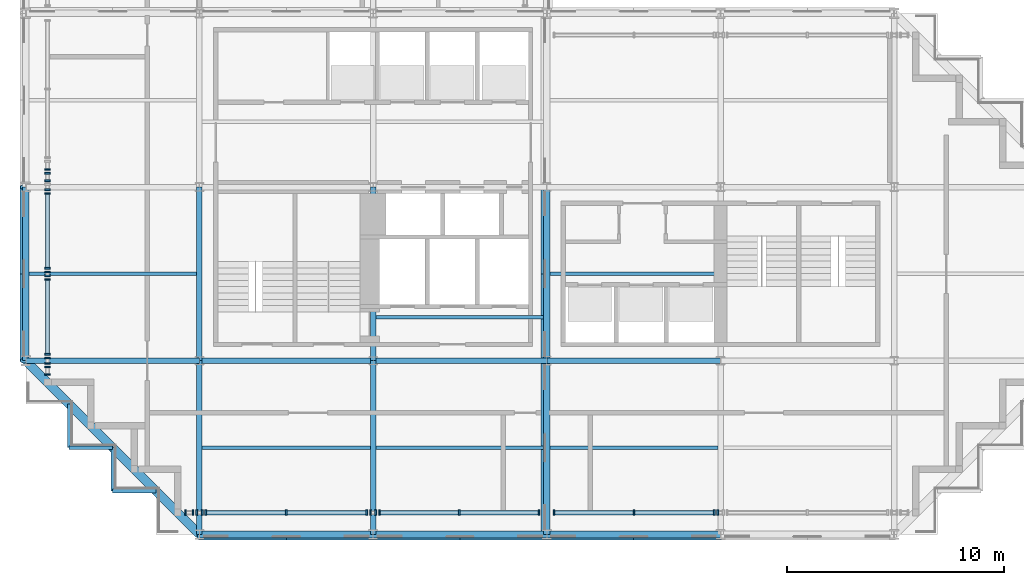
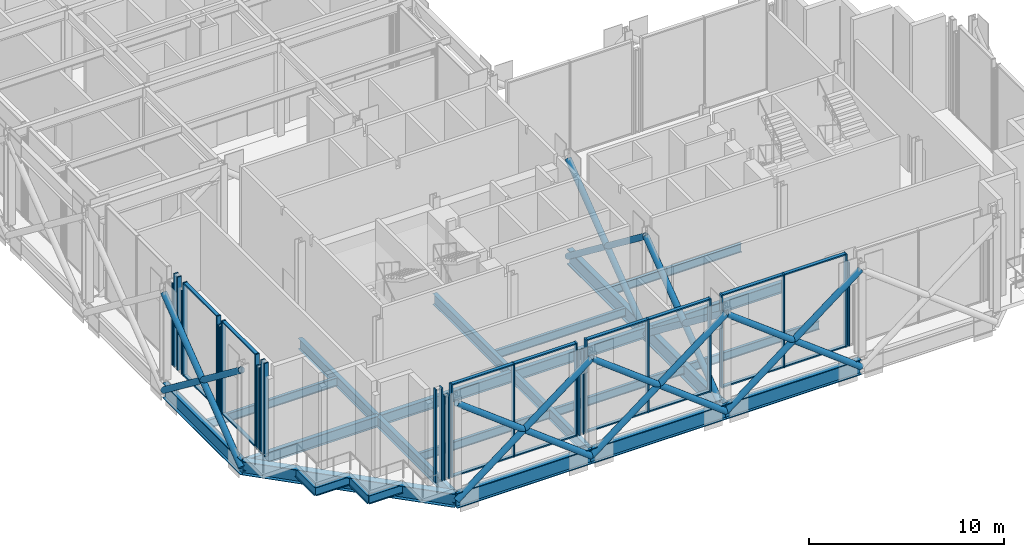
# One storey, part 2 of 23: 58 members, 25 beams, 15 elements without a shape of their own.
"""IFC4 building model written with IfcOpenShell, lengths in metres."""

from ifc_helpers import new_model, si_unit, direction, frame, origin, origin_2d, place, context, subcontext, project, spatial, rectangle, hollow_circle, i_section, extrude, material, material_profile, profile_set, type_object, element, aggregate, save


model = new_model("IFC4")

# Units and contexts
model_context = context("Model", 3, precision=1e-05, world=origin(), true_north=direction((0.0, 1.0)))
body_context = subcontext(model_context, "Body", "Model", "MODEL_VIEW")
ifc_project = project(units=[si_unit("LENGTHUNIT", "METRE"), si_unit("AREAUNIT", "SQUARE_METRE"), si_unit("VOLUMEUNIT", "CUBIC_METRE"), si_unit("PLANEANGLEUNIT", "RADIAN"), si_unit("MASSUNIT", "GRAM", prefix="KILO")], contexts=[model_context])

# Site, building, storey
site_placement = place(None, origin())
site = spatial("IfcSite", under=ifc_project, at=site_placement, CompositionType="ELEMENT")
building_placement = place(site_placement, origin())
building = spatial("IfcBuilding", under=site, at=building_placement, Name="Immortelle Media Tower", CompositionType="ELEMENT")
storey_placement = place(building_placement, frame((0.0, 0.0, 183.0)))
storey = spatial("IfcBuildingStorey", under=building, at=storey_placement, Name="L38", CompositionType="ELEMENT", Elevation=183.0)

# Members
ifc_material_1 = material(Name="Steel ASTM A500 Gr C", Category="steel")
ifc_material_profile_1 = material_profile(ifc_material_1, hollow_circle(Radius=0.177978515625, WallThickness=0.011962890625, at=origin_2d()), Name="HSS14.000x0.500 truss diagonal")
ifc_profile_set_1 = profile_set([ifc_material_profile_1], Name="Steel ASTM A500 Gr C")
member_type_1 = type_object("IfcMemberType", Name="HSS14.000x0.500 truss diagonal", PredefinedType="BRACE", material=ifc_profile_set_1)
for number, where, z_axis, x_axis, name in (
    (1, (-0.087890625, 8.0, -0.72509765625), (0.0, 0.794333061913, 0.607482499132), (-1.0, 0.0, 0.0), "Belt truss 1/B-C A"),
    (2, (-0.087890625, 8.0, 5.39306640625), (0.0, 0.794333061913, -0.607482499132), (-1.0, 0.0, 0.0), "Belt truss 1/B-C B"),
    (3, (8.0, -0.087890625, -0.72509765625), (0.794333061913, 0.0, 0.607482499132), (0.0, 1.0, 0.0), "Belt truss A/2-3 A"),
    (4, (8.0, -0.087890625, 5.39306640625), (0.794333061913, 0.0, -0.607482499132), (0.0, 1.0, 0.0), "Belt truss A/2-3 B"),
    (5, (16.0, -0.087890625, -0.72509765625), (0.794333061913, 0.0, 0.607482499132), (0.0, 1.0, 0.0), "Belt truss A/3-4 A"),
    (6, (16.0, -0.087890625, 5.39306640625), (0.794333061913, 0.0, -0.607482499132), (0.0, 1.0, 0.0), "Belt truss A/3-4 B"),
    (7, (24.0, -0.087890625, -0.72509765625), (0.794333061913, 0.0, 0.607482499132), (0.0, 1.0, 0.0), "Belt truss A/4-5 A"),
    (8, (24.0, -0.087890625, 5.39306640625), (0.794333061913, 0.0, -0.607482499132), (0.0, 1.0, 0.0), "Belt truss A/4-5 B"),
    (9, (23.912109375, 0.0, -0.72509765625), (0.0, 0.794333061913, 0.607482499132), (-1.0, 0.0, 0.0), "Belt truss 4/A-B A"),
    (10, (23.912109375, 0.0, 5.39306640625), (0.0, 0.794333061913, -0.607482499132), (-1.0, 0.0, 0.0), "Belt truss 4/A-B B"),
    (11, (23.912109375, 8.0, -0.72509765625), (0.0, 0.794333061913, 0.607482499132), (-1.0, 0.0, 0.0), "Belt truss 4/B-C A"),
    (12, (23.912109375, 8.0, 5.39306640625), (0.0, 0.794333061913, -0.607482499132), (-1.0, 0.0, 0.0), "Belt truss 4/B-C B"),
):
    element("IfcMember", number, at=place(storey_placement, frame(where, z_axis=z_axis, x_axis=x_axis)), inside=storey, type_object=member_type_1, Name=name, PredefinedType="BRACE", context=body_context, shape_type="SweptSolid", body=[
        extrude(hollow_circle(Radius=0.177978515625, WallThickness=0.011962890625, at=origin_2d()), origin(), (0.0, 0.0, 1.0), 10.0712890625),
    ])

# Curtain wall, members
ifc_material_2 = material(Name="Aluminium curtain wall system", Category="aluminium")
curtain_wall_type = type_object("IfcCurtainWallType", Name="Plant louvre wall curtain wall", PredefinedType="NOTDEFINED", material=ifc_material_2)
curtain_wall_1_placement = place(storey_placement, origin())
curtain_wall_1 = element("IfcCurtainWall", 13, at=curtain_wall_1_placement, inside=storey, type_object=curtain_wall_type, Name="Plant louvre wall L38 S 7-2", PredefinedType="NOTDEFINED")
ifc_material_3 = material(Name="Aluminium 6063-T6", Category="aluminium")
ifc_material_profile_2 = material_profile(ifc_material_3, rectangle(XDim=0.25, YDim=0.080078125, at=origin_2d()), Name="AL 80x250")
ifc_profile_set_2 = profile_set([ifc_material_profile_2], Name="Aluminium 6063-T6")
member_type_2 = type_object("IfcMemberType", Name="Plant louvre wall mullion 80 x 250", PredefinedType="MULLION", material=ifc_profile_set_2)
member_1_placement = place(storey_placement, frame((7.36181640625, 1.0, 0.0), z_axis=(0.0, 0.0, 1.0), x_axis=(0.0, 1.0, 0.0)))
member_1 = element("IfcMember", 14, at=member_1_placement, type_object=member_type_2, Name="CW6 mullion 1", PredefinedType="MULLION", context=body_context, shape_type="SweptSolid", body=[
    extrude(rectangle(XDim=0.25, YDim=0.080078125, at=origin_2d()), origin(), (0.0, 0.0, 1.0), 5.849609375),
])
member_2_placement = place(storey_placement, frame((7.7060546875, 1.0, 0.0), z_axis=(0.0, 0.0, 1.0), x_axis=(0.0, 1.0, 0.0)))
member_2 = element("IfcMember", 15, at=member_2_placement, type_object=member_type_2, Name="CW6 mullion 2", PredefinedType="MULLION", context=body_context, shape_type="SweptSolid", body=[
    extrude(rectangle(XDim=0.25, YDim=0.080078125, at=origin_2d()), origin(), (0.0, 0.0, 1.0), 5.849609375),
])
aggregate(curtain_wall_1, [member_1, member_2])

curtain_wall_2_placement = place(storey_placement, origin())
curtain_wall_2 = element("IfcCurtainWall", 16, at=curtain_wall_2_placement, inside=storey, type_object=curtain_wall_type, Name="Plant louvre wall L38 S 7-3", PredefinedType="NOTDEFINED")
member_3_placement = place(storey_placement, frame((7.8759765625, 1.0, 0.0), z_axis=(0.0, 0.0, 1.0), x_axis=(0.0, 1.0, 0.0)))
member_3 = element("IfcMember", 17, at=member_3_placement, type_object=member_type_2, Name="CW6 mullion 1", PredefinedType="MULLION", context=body_context, shape_type="SweptSolid", body=[
    extrude(rectangle(XDim=0.25, YDim=0.080078125, at=origin_2d()), origin(), (0.0, 0.0, 1.0), 5.24755859375),
])
member_4_placement = place(storey_placement, frame((8.1240234375, 1.0, 0.0), z_axis=(0.0, 0.0, 1.0), x_axis=(0.0, 1.0, 0.0)))
member_4 = element("IfcMember", 18, at=member_4_placement, type_object=member_type_2, Name="CW6 mullion 2", PredefinedType="MULLION", context=body_context, shape_type="SweptSolid", body=[
    extrude(rectangle(XDim=0.25, YDim=0.080078125, at=origin_2d()), origin(), (0.0, 0.0, 1.0), 5.24755859375),
])
aggregate(curtain_wall_2, [member_3, member_4])

curtain_wall_3_placement = place(storey_placement, origin())
curtain_wall_3 = element("IfcCurtainWall", 19, at=curtain_wall_3_placement, inside=storey, type_object=curtain_wall_type, Name="Plant louvre wall L38 S 7-4", PredefinedType="NOTDEFINED")
member_5_placement = place(storey_placement, frame((8.2939453125, 1.0, 0.0), z_axis=(0.0, 0.0, 1.0), x_axis=(0.0, 1.0, 0.0)))
member_5 = element("IfcMember", 20, at=member_5_placement, type_object=member_type_2, Name="CW6 mullion 1", PredefinedType="MULLION", context=body_context, shape_type="SweptSolid", body=[
    extrude(rectangle(XDim=0.25, YDim=0.080078125, at=origin_2d()), origin(), (0.0, 0.0, 1.0), 5.849609375),
])
member_6_placement = place(storey_placement, frame((12.0, 1.0, 0.0), z_axis=(0.0, 0.0, 1.0), x_axis=(0.0, 1.0, 0.0)))
member_6 = element("IfcMember", 21, at=member_6_placement, type_object=member_type_2, Name="CW6 mullion 2", PredefinedType="MULLION", context=body_context, shape_type="SweptSolid", body=[
    extrude(rectangle(XDim=0.25, YDim=0.080078125, at=origin_2d()), origin(), (0.0, 0.0, 1.0), 5.849609375),
])
member_7_placement = place(storey_placement, frame((15.7060546875, 1.0, 0.0), z_axis=(0.0, 0.0, 1.0), x_axis=(0.0, 1.0, 0.0)))
member_7 = element("IfcMember", 22, at=member_7_placement, type_object=member_type_2, Name="CW6 mullion 3", PredefinedType="MULLION", context=body_context, shape_type="SweptSolid", body=[
    extrude(rectangle(XDim=0.25, YDim=0.080078125, at=origin_2d()), origin(), (0.0, 0.0, 1.0), 5.849609375),
])

curtain_wall_4_placement = place(storey_placement, origin())
curtain_wall_4 = element("IfcCurtainWall", 23, at=curtain_wall_4_placement, inside=storey, type_object=curtain_wall_type, Name="Plant louvre wall L38 S 7-5", PredefinedType="NOTDEFINED")
member_8_placement = place(storey_placement, frame((15.8759765625, 1.0, 0.0), z_axis=(0.0, 0.0, 1.0), x_axis=(0.0, 1.0, 0.0)))
member_8 = element("IfcMember", 24, at=member_8_placement, type_object=member_type_2, Name="CW6 mullion 1", PredefinedType="MULLION", context=body_context, shape_type="SweptSolid", body=[
    extrude(rectangle(XDim=0.25, YDim=0.080078125, at=origin_2d()), origin(), (0.0, 0.0, 1.0), 5.24755859375),
])
member_9_placement = place(storey_placement, frame((16.1240234375, 1.0, 0.0), z_axis=(0.0, 0.0, 1.0), x_axis=(0.0, 1.0, 0.0)))
member_9 = element("IfcMember", 25, at=member_9_placement, type_object=member_type_2, Name="CW6 mullion 2", PredefinedType="MULLION", context=body_context, shape_type="SweptSolid", body=[
    extrude(rectangle(XDim=0.25, YDim=0.080078125, at=origin_2d()), origin(), (0.0, 0.0, 1.0), 5.24755859375),
])
aggregate(curtain_wall_4, [member_8, member_9])

curtain_wall_5_placement = place(storey_placement, origin())
curtain_wall_5 = element("IfcCurtainWall", 26, at=curtain_wall_5_placement, inside=storey, type_object=curtain_wall_type, Name="Plant louvre wall L38 S 7-6", PredefinedType="NOTDEFINED")
member_10_placement = place(storey_placement, frame((16.2939453125, 1.0, 0.0), z_axis=(0.0, 0.0, 1.0), x_axis=(0.0, 1.0, 0.0)))
member_10 = element("IfcMember", 27, at=member_10_placement, type_object=member_type_2, Name="CW6 mullion 1", PredefinedType="MULLION", context=body_context, shape_type="SweptSolid", body=[
    extrude(rectangle(XDim=0.25, YDim=0.080078125, at=origin_2d()), origin(), (0.0, 0.0, 1.0), 5.849609375),
])
member_11_placement = place(storey_placement, frame((19.968994140625, 1.0, 0.0), z_axis=(0.0, 0.0, 1.0), x_axis=(0.0, 1.0, 0.0)))
member_11 = element("IfcMember", 28, at=member_11_placement, type_object=member_type_2, Name="CW6 mullion 2", PredefinedType="MULLION", context=body_context, shape_type="SweptSolid", body=[
    extrude(rectangle(XDim=0.25, YDim=0.080078125, at=origin_2d()), origin(), (0.0, 0.0, 1.0), 5.849609375),
])
member_12_placement = place(storey_placement, frame((23.64404296875, 1.0, 0.0), z_axis=(0.0, 0.0, 1.0), x_axis=(0.0, 1.0, 0.0)))
member_12 = element("IfcMember", 29, at=member_12_placement, type_object=member_type_2, Name="CW6 mullion 3", PredefinedType="MULLION", context=body_context, shape_type="SweptSolid", body=[
    extrude(rectangle(XDim=0.25, YDim=0.080078125, at=origin_2d()), origin(), (0.0, 0.0, 1.0), 5.849609375),
])

curtain_wall_6_placement = place(storey_placement, origin())
curtain_wall_6 = element("IfcCurtainWall", 30, at=curtain_wall_6_placement, inside=storey, type_object=curtain_wall_type, Name="Plant louvre wall L38 S 7-7", PredefinedType="NOTDEFINED")
member_13_placement = place(storey_placement, frame((24.33251953125, 1.0, 0.0), z_axis=(0.0, 0.0, 1.0), x_axis=(0.0, 1.0, 0.0)))
member_13 = element("IfcMember", 31, at=member_13_placement, type_object=member_type_2, Name="CW6 mullion 1", PredefinedType="MULLION", context=body_context, shape_type="SweptSolid", body=[
    extrude(rectangle(XDim=0.25, YDim=0.080078125, at=origin_2d()), origin(), (0.0, 0.0, 1.0), 5.849609375),
])
member_14_placement = place(storey_placement, frame((28.019287109375, 1.0, 0.0), z_axis=(0.0, 0.0, 1.0), x_axis=(0.0, 1.0, 0.0)))
member_14 = element("IfcMember", 32, at=member_14_placement, type_object=member_type_2, Name="CW6 mullion 2", PredefinedType="MULLION", context=body_context, shape_type="SweptSolid", body=[
    extrude(rectangle(XDim=0.25, YDim=0.080078125, at=origin_2d()), origin(), (0.0, 0.0, 1.0), 5.849609375),
])
member_15_placement = place(storey_placement, frame((31.7060546875, 1.0, 0.0), z_axis=(0.0, 0.0, 1.0), x_axis=(0.0, 1.0, 0.0)))
member_15 = element("IfcMember", 33, at=member_15_placement, type_object=member_type_2, Name="CW6 mullion 3", PredefinedType="MULLION", context=body_context, shape_type="SweptSolid", body=[
    extrude(rectangle(XDim=0.25, YDim=0.080078125, at=origin_2d()), origin(), (0.0, 0.0, 1.0), 5.849609375),
])

# Curtain wall, member
curtain_wall_7_placement = place(storey_placement, origin())
curtain_wall_7 = element("IfcCurtainWall", 34, at=curtain_wall_7_placement, inside=storey, type_object=curtain_wall_type, Name="Plant louvre wall L38 S 7-8", PredefinedType="NOTDEFINED")
member_16_placement = place(storey_placement, frame((31.8759765625, 1.0, 0.0), z_axis=(0.0, 0.0, 1.0), x_axis=(0.0, 1.0, 0.0)))
member_16 = element("IfcMember", 35, at=member_16_placement, type_object=member_type_2, Name="CW6 mullion 1", PredefinedType="MULLION", context=body_context, shape_type="SweptSolid", body=[
    extrude(rectangle(XDim=0.25, YDim=0.080078125, at=origin_2d()), origin(), (0.0, 0.0, 1.0), 5.24755859375),
])
aggregate(curtain_wall_7, [member_16])

curtain_wall_8_placement = place(storey_placement, origin())
curtain_wall_8 = element("IfcCurtainWall", 36, at=curtain_wall_8_placement, inside=storey, type_object=curtain_wall_type, Name="Plant louvre wall L38 W 36-11", PredefinedType="NOTDEFINED")
member_17_placement = place(storey_placement, frame((1.0, 16.808349609375, 0.0), z_axis=(0.0, 0.0, 1.0), x_axis=(1.0, 0.0, 0.0)))
member_17 = element("IfcMember", 37, at=member_17_placement, type_object=member_type_2, Name="CW6 mullion 2", PredefinedType="MULLION", context=body_context, shape_type="SweptSolid", body=[
    extrude(rectangle(XDim=0.25, YDim=0.080078125, at=origin_2d()), origin(), (0.0, 0.0, 1.0), 5.156494140625),
])
aggregate(curtain_wall_8, [member_17])

# Curtain wall, members
curtain_wall_9_placement = place(storey_placement, origin())
curtain_wall_9 = element("IfcCurtainWall", 38, at=curtain_wall_9_placement, inside=storey, type_object=curtain_wall_type, Name="Plant louvre wall L38 W 36-12", PredefinedType="NOTDEFINED")
member_18_placement = place(storey_placement, frame((1.0, 16.63818359375, 0.0), z_axis=(0.0, 0.0, 1.0), x_axis=(1.0, 0.0, 0.0)))
member_18 = element("IfcMember", 39, at=member_18_placement, type_object=member_type_2, Name="CW6 mullion 1", PredefinedType="MULLION", context=body_context, shape_type="SweptSolid", body=[
    extrude(rectangle(XDim=0.25, YDim=0.080078125, at=origin_2d()), origin(), (0.0, 0.0, 1.0), 5.849609375),
])
member_19_placement = place(storey_placement, frame((1.0, 16.2939453125, 0.0), z_axis=(0.0, 0.0, 1.0), x_axis=(1.0, 0.0, 0.0)))
member_19 = element("IfcMember", 40, at=member_19_placement, type_object=member_type_2, Name="CW6 mullion 2", PredefinedType="MULLION", context=body_context, shape_type="SweptSolid", body=[
    extrude(rectangle(XDim=0.25, YDim=0.080078125, at=origin_2d()), origin(), (0.0, 0.0, 1.0), 5.849609375),
])
aggregate(curtain_wall_9, [member_18, member_19])

# Curtain wall, member
curtain_wall_10_placement = place(storey_placement, origin())
curtain_wall_10 = element("IfcCurtainWall", 41, at=curtain_wall_10_placement, inside=storey, type_object=curtain_wall_type, Name="Plant louvre wall L38 W 36-13", PredefinedType="NOTDEFINED")
member_20_placement = place(storey_placement, frame((1.0, 15.8759765625, 0.0), z_axis=(0.0, 0.0, 1.0), x_axis=(1.0, 0.0, 0.0)))
member_20 = element("IfcMember", 42, at=member_20_placement, type_object=member_type_2, Name="CW6 mullion 2", PredefinedType="MULLION", context=body_context, shape_type="SweptSolid", body=[
    extrude(rectangle(XDim=0.25, YDim=0.080078125, at=origin_2d()), origin(), (0.0, 0.0, 1.0), 5.24755859375),
])
aggregate(curtain_wall_10, [member_20])

# Curtain wall, members
curtain_wall_11_placement = place(storey_placement, origin())
curtain_wall_11 = element("IfcCurtainWall", 43, at=curtain_wall_11_placement, inside=storey, type_object=curtain_wall_type, Name="Plant louvre wall L38 W 36-14", PredefinedType="NOTDEFINED")
member_21_placement = place(storey_placement, frame((1.0, 15.7060546875, 0.0), z_axis=(0.0, 0.0, 1.0), x_axis=(1.0, 0.0, 0.0)))
member_21 = element("IfcMember", 44, at=member_21_placement, type_object=member_type_2, Name="CW6 mullion 1", PredefinedType="MULLION", context=body_context, shape_type="SweptSolid", body=[
    extrude(rectangle(XDim=0.25, YDim=0.080078125, at=origin_2d()), origin(), (0.0, 0.0, 1.0), 5.849609375),
])
member_22_placement = place(storey_placement, frame((1.0, 12.256591796875, 0.0), z_axis=(0.0, 0.0, 1.0), x_axis=(1.0, 0.0, 0.0)))
member_22 = element("IfcMember", 45, at=member_22_placement, type_object=member_type_2, Name="CW6 mullion 2", PredefinedType="MULLION", context=body_context, shape_type="SweptSolid", body=[
    extrude(rectangle(XDim=0.25, YDim=0.080078125, at=origin_2d()), origin(), (0.0, 0.0, 1.0), 5.849609375),
])

curtain_wall_12_placement = place(storey_placement, origin())
curtain_wall_12 = element("IfcCurtainWall", 46, at=curtain_wall_12_placement, inside=storey, type_object=curtain_wall_type, Name="Plant louvre wall L38 W 36-15", PredefinedType="NOTDEFINED")
member_23_placement = place(storey_placement, frame((1.0, 12.08642578125, 0.0), z_axis=(0.0, 0.0, 1.0), x_axis=(1.0, 0.0, 0.0)))
member_23 = element("IfcMember", 47, at=member_23_placement, type_object=member_type_2, Name="CW6 mullion 1", PredefinedType="MULLION", context=body_context, shape_type="SweptSolid", body=[
    extrude(rectangle(XDim=0.25, YDim=0.080078125, at=origin_2d()), origin(), (0.0, 0.0, 1.0), 5.39453125),
])
member_24_placement = place(storey_placement, frame((1.0, 11.91357421875, 0.0), z_axis=(0.0, 0.0, 1.0), x_axis=(1.0, 0.0, 0.0)))
member_24 = element("IfcMember", 48, at=member_24_placement, type_object=member_type_2, Name="CW6 mullion 2", PredefinedType="MULLION", context=body_context, shape_type="SweptSolid", body=[
    extrude(rectangle(XDim=0.25, YDim=0.080078125, at=origin_2d()), origin(), (0.0, 0.0, 1.0), 5.39453125),
])
aggregate(curtain_wall_12, [member_23, member_24])

curtain_wall_13_placement = place(storey_placement, origin())
curtain_wall_13 = element("IfcCurtainWall", 49, at=curtain_wall_13_placement, inside=storey, type_object=curtain_wall_type, Name="Plant louvre wall L38 W 36-16", PredefinedType="NOTDEFINED")
member_25_placement = place(storey_placement, frame((1.0, 11.743408203125, 0.0), z_axis=(0.0, 0.0, 1.0), x_axis=(1.0, 0.0, 0.0)))
member_25 = element("IfcMember", 50, at=member_25_placement, type_object=member_type_2, Name="CW6 mullion 1", PredefinedType="MULLION", context=body_context, shape_type="SweptSolid", body=[
    extrude(rectangle(XDim=0.25, YDim=0.080078125, at=origin_2d()), origin(), (0.0, 0.0, 1.0), 5.849609375),
])
member_26_placement = place(storey_placement, frame((1.0, 8.2939453125, 0.0), z_axis=(0.0, 0.0, 1.0), x_axis=(1.0, 0.0, 0.0)))
member_26 = element("IfcMember", 51, at=member_26_placement, type_object=member_type_2, Name="CW6 mullion 2", PredefinedType="MULLION", context=body_context, shape_type="SweptSolid", body=[
    extrude(rectangle(XDim=0.25, YDim=0.080078125, at=origin_2d()), origin(), (0.0, 0.0, 1.0), 5.849609375),
])

curtain_wall_14_placement = place(storey_placement, origin())
curtain_wall_14 = element("IfcCurtainWall", 52, at=curtain_wall_14_placement, inside=storey, type_object=curtain_wall_type, Name="Plant louvre wall L38 W 36-17", PredefinedType="NOTDEFINED")
member_27_placement = place(storey_placement, frame((1.0, 8.1240234375, 0.0), z_axis=(0.0, 0.0, 1.0), x_axis=(1.0, 0.0, 0.0)))
member_27 = element("IfcMember", 53, at=member_27_placement, type_object=member_type_2, Name="CW6 mullion 1", PredefinedType="MULLION", context=body_context, shape_type="SweptSolid", body=[
    extrude(rectangle(XDim=0.25, YDim=0.080078125, at=origin_2d()), origin(), (0.0, 0.0, 1.0), 5.24755859375),
])
member_28_placement = place(storey_placement, frame((1.0, 7.8759765625, 0.0), z_axis=(0.0, 0.0, 1.0), x_axis=(1.0, 0.0, 0.0)))
member_28 = element("IfcMember", 54, at=member_28_placement, type_object=member_type_2, Name="CW6 mullion 2", PredefinedType="MULLION", context=body_context, shape_type="SweptSolid", body=[
    extrude(rectangle(XDim=0.25, YDim=0.080078125, at=origin_2d()), origin(), (0.0, 0.0, 1.0), 5.24755859375),
])
aggregate(curtain_wall_14, [member_27, member_28])

curtain_wall_15_placement = place(storey_placement, origin())
curtain_wall_15 = element("IfcCurtainWall", 55, at=curtain_wall_15_placement, inside=storey, type_object=curtain_wall_type, Name="Plant louvre wall L38 W 36-18", PredefinedType="NOTDEFINED")
member_29_placement = place(storey_placement, frame((1.0, 7.7060546875, 0.0), z_axis=(0.0, 0.0, 1.0), x_axis=(1.0, 0.0, 0.0)))
member_29 = element("IfcMember", 56, at=member_29_placement, type_object=member_type_2, Name="CW6 mullion 1", PredefinedType="MULLION", context=body_context, shape_type="SweptSolid", body=[
    extrude(rectangle(XDim=0.25, YDim=0.080078125, at=origin_2d()), origin(), (0.0, 0.0, 1.0), 5.849609375),
])
member_30_placement = place(storey_placement, frame((1.0, 7.36181640625, 0.0), z_axis=(0.0, 0.0, 1.0), x_axis=(1.0, 0.0, 0.0)))
member_30 = element("IfcMember", 57, at=member_30_placement, type_object=member_type_2, Name="CW6 mullion 2", PredefinedType="MULLION", context=body_context, shape_type="SweptSolid", body=[
    extrude(rectangle(XDim=0.25, YDim=0.080078125, at=origin_2d()), origin(), (0.0, 0.0, 1.0), 5.849609375),
])
aggregate(curtain_wall_15, [member_29, member_30])

# Member
ifc_material_profile_3 = material_profile(ifc_material_3, rectangle(XDim=0.199951171875, YDim=0.080078125, at=origin_2d()), Name="AL 80x200")
ifc_profile_set_3 = profile_set([ifc_material_profile_3], Name="Aluminium 6063-T6")
member_type_3 = type_object("IfcMemberType", Name="Plant louvre wall transom 80 x 200", PredefinedType="USERDEFINED", material=ifc_profile_set_3)
member_31_placement = place(storey_placement, frame((8.333984375, 1.0, 0.0400390625), z_axis=(1.0, 0.0, 0.0), x_axis=(0.0, 1.0, 0.0)))
member_31 = element("IfcMember", 58, at=member_31_placement, type_object=member_type_3, Name="CW6 transom 1.1", ObjectType="TRANSOM", PredefinedType="USERDEFINED", context=body_context, shape_type="SweptSolid", body=[
    extrude(rectangle(XDim=0.199951171875, YDim=0.080078125, at=origin_2d()), origin(), (0.0, 0.0, 1.0), 3.6259765625),
])

member_32_placement = place(storey_placement, frame((8.333984375, 1.0, 5.8095703125), z_axis=(1.0, 0.0, 0.0), x_axis=(0.0, 1.0, 0.0)))
member_32 = element("IfcMember", 59, at=member_32_placement, type_object=member_type_3, Name="CW6 transom 1.2", ObjectType="TRANSOM", PredefinedType="USERDEFINED", context=body_context, shape_type="SweptSolid", body=[
    extrude(rectangle(XDim=0.199951171875, YDim=0.080078125, at=origin_2d()), origin(), (0.0, 0.0, 1.0), 3.6259765625),
])

member_33_placement = place(storey_placement, frame((12.0400390625, 1.0, 0.0400390625), z_axis=(1.0, 0.0, 0.0), x_axis=(0.0, 1.0, 0.0)))
member_33 = element("IfcMember", 60, at=member_33_placement, type_object=member_type_3, Name="CW6 transom 2.1", ObjectType="TRANSOM", PredefinedType="USERDEFINED", context=body_context, shape_type="SweptSolid", body=[
    extrude(rectangle(XDim=0.199951171875, YDim=0.080078125, at=origin_2d()), origin(), (0.0, 0.0, 1.0), 3.6259765625),
])

member_34_placement = place(storey_placement, frame((12.0400390625, 1.0, 5.8095703125), z_axis=(1.0, 0.0, 0.0), x_axis=(0.0, 1.0, 0.0)))
member_34 = element("IfcMember", 61, at=member_34_placement, type_object=member_type_3, Name="CW6 transom 2.2", ObjectType="TRANSOM", PredefinedType="USERDEFINED", context=body_context, shape_type="SweptSolid", body=[
    extrude(rectangle(XDim=0.199951171875, YDim=0.080078125, at=origin_2d()), origin(), (0.0, 0.0, 1.0), 3.6259765625),
])

aggregate(curtain_wall_3, [member_5, member_6, member_7, member_31, member_32, member_33, member_34])

member_35_placement = place(storey_placement, frame((16.333984375, 1.0, 0.0400390625), z_axis=(1.0, 0.0, 0.0), x_axis=(0.0, 1.0, 0.0)))
member_35 = element("IfcMember", 62, at=member_35_placement, type_object=member_type_3, Name="CW6 transom 1.1", ObjectType="TRANSOM", PredefinedType="USERDEFINED", context=body_context, shape_type="SweptSolid", body=[
    extrude(rectangle(XDim=0.199951171875, YDim=0.080078125, at=origin_2d()), origin(), (0.0, 0.0, 1.0), 3.594970703125),
])

member_36_placement = place(storey_placement, frame((16.333984375, 1.0, 5.8095703125), z_axis=(1.0, 0.0, 0.0), x_axis=(0.0, 1.0, 0.0)))
member_36 = element("IfcMember", 63, at=member_36_placement, type_object=member_type_3, Name="CW6 transom 1.2", ObjectType="TRANSOM", PredefinedType="USERDEFINED", context=body_context, shape_type="SweptSolid", body=[
    extrude(rectangle(XDim=0.199951171875, YDim=0.080078125, at=origin_2d()), origin(), (0.0, 0.0, 1.0), 3.594970703125),
])

member_37_placement = place(storey_placement, frame((20.009033203125, 1.0, 0.0400390625), z_axis=(1.0, 0.0, 0.0), x_axis=(0.0, 1.0, 0.0)))
member_37 = element("IfcMember", 64, at=member_37_placement, type_object=member_type_3, Name="CW6 transom 2.1", ObjectType="TRANSOM", PredefinedType="USERDEFINED", context=body_context, shape_type="SweptSolid", body=[
    extrude(rectangle(XDim=0.199951171875, YDim=0.080078125, at=origin_2d()), origin(), (0.0, 0.0, 1.0), 3.594970703125),
])

member_38_placement = place(storey_placement, frame((20.009033203125, 1.0, 5.8095703125), z_axis=(1.0, 0.0, 0.0), x_axis=(0.0, 1.0, 0.0)))
member_38 = element("IfcMember", 65, at=member_38_placement, type_object=member_type_3, Name="CW6 transom 2.2", ObjectType="TRANSOM", PredefinedType="USERDEFINED", context=body_context, shape_type="SweptSolid", body=[
    extrude(rectangle(XDim=0.199951171875, YDim=0.080078125, at=origin_2d()), origin(), (0.0, 0.0, 1.0), 3.594970703125),
])

aggregate(curtain_wall_5, [member_10, member_11, member_12, member_35, member_36, member_37, member_38])

member_39_placement = place(storey_placement, frame((24.37255859375, 1.0, 0.0400390625), z_axis=(1.0, 0.0, 0.0), x_axis=(0.0, 1.0, 0.0)))
member_39 = element("IfcMember", 66, at=member_39_placement, type_object=member_type_3, Name="CW6 transom 1.1", ObjectType="TRANSOM", PredefinedType="USERDEFINED", context=body_context, shape_type="SweptSolid", body=[
    extrude(rectangle(XDim=0.199951171875, YDim=0.080078125, at=origin_2d()), origin(), (0.0, 0.0, 1.0), 3.606689453125),
])

member_40_placement = place(storey_placement, frame((24.37255859375, 1.0, 5.8095703125), z_axis=(1.0, 0.0, 0.0), x_axis=(0.0, 1.0, 0.0)))
member_40 = element("IfcMember", 67, at=member_40_placement, type_object=member_type_3, Name="CW6 transom 1.2", ObjectType="TRANSOM", PredefinedType="USERDEFINED", context=body_context, shape_type="SweptSolid", body=[
    extrude(rectangle(XDim=0.199951171875, YDim=0.080078125, at=origin_2d()), origin(), (0.0, 0.0, 1.0), 3.606689453125),
])

member_41_placement = place(storey_placement, frame((28.059326171875, 1.0, 0.0400390625), z_axis=(1.0, 0.0, 0.0), x_axis=(0.0, 1.0, 0.0)))
member_41 = element("IfcMember", 68, at=member_41_placement, type_object=member_type_3, Name="CW6 transom 2.1", ObjectType="TRANSOM", PredefinedType="USERDEFINED", context=body_context, shape_type="SweptSolid", body=[
    extrude(rectangle(XDim=0.199951171875, YDim=0.080078125, at=origin_2d()), origin(), (0.0, 0.0, 1.0), 3.606689453125),
])

member_42_placement = place(storey_placement, frame((28.059326171875, 1.0, 5.8095703125), z_axis=(1.0, 0.0, 0.0), x_axis=(0.0, 1.0, 0.0)))
member_42 = element("IfcMember", 69, at=member_42_placement, type_object=member_type_3, Name="CW6 transom 2.2", ObjectType="TRANSOM", PredefinedType="USERDEFINED", context=body_context, shape_type="SweptSolid", body=[
    extrude(rectangle(XDim=0.199951171875, YDim=0.080078125, at=origin_2d()), origin(), (0.0, 0.0, 1.0), 3.606689453125),
])

aggregate(curtain_wall_6, [member_13, member_14, member_15, member_39, member_40, member_41, member_42])

member_43_placement = place(storey_placement, frame((1.0, 15.666015625, 0.0400390625), z_axis=(0.0, -1.0, 0.0), x_axis=(1.0, 0.0, 0.0)))
member_43 = element("IfcMember", 70, at=member_43_placement, type_object=member_type_3, Name="CW6 transom 1.1", ObjectType="TRANSOM", PredefinedType="USERDEFINED", context=body_context, shape_type="SweptSolid", body=[
    extrude(rectangle(XDim=0.199951171875, YDim=0.080078125, at=origin_2d()), origin(), (0.0, 0.0, 1.0), 3.36962890625),
])

member_44_placement = place(storey_placement, frame((1.0, 15.666015625, 5.8095703125), z_axis=(0.0, -1.0, 0.0), x_axis=(1.0, 0.0, 0.0)))
member_44 = element("IfcMember", 71, at=member_44_placement, type_object=member_type_3, Name="CW6 transom 1.2", ObjectType="TRANSOM", PredefinedType="USERDEFINED", context=body_context, shape_type="SweptSolid", body=[
    extrude(rectangle(XDim=0.199951171875, YDim=0.080078125, at=origin_2d()), origin(), (0.0, 0.0, 1.0), 3.36962890625),
])

aggregate(curtain_wall_11, [member_21, member_22, member_43, member_44])

member_45_placement = place(storey_placement, frame((1.0, 11.70361328125, 0.0400390625), z_axis=(0.0, -1.0, 0.0), x_axis=(1.0, 0.0, 0.0)))
member_45 = element("IfcMember", 72, at=member_45_placement, type_object=member_type_3, Name="CW6 transom 1.1", ObjectType="TRANSOM", PredefinedType="USERDEFINED", context=body_context, shape_type="SweptSolid", body=[
    extrude(rectangle(XDim=0.199951171875, YDim=0.080078125, at=origin_2d()), origin(), (0.0, 0.0, 1.0), 3.36962890625),
])

member_46_placement = place(storey_placement, frame((1.0, 11.70361328125, 5.8095703125), z_axis=(0.0, -1.0, 0.0), x_axis=(1.0, 0.0, 0.0)))
member_46 = element("IfcMember", 73, at=member_46_placement, type_object=member_type_3, Name="CW6 transom 1.2", ObjectType="TRANSOM", PredefinedType="USERDEFINED", context=body_context, shape_type="SweptSolid", body=[
    extrude(rectangle(XDim=0.199951171875, YDim=0.080078125, at=origin_2d()), origin(), (0.0, 0.0, 1.0), 3.36962890625),
])

aggregate(curtain_wall_13, [member_25, member_26, member_45, member_46])

# Beams
ifc_material_4 = material(Name="Steel ASTM A992 Gr 50", Category="steel")
ifc_material_profile_4 = material_profile(ifc_material_4, i_section(OverallWidth=0.1669921875, OverallDepth=0.535888671875, WebThickness=0.010009765625, FlangeThickness=0.01708984375, at=origin_2d()), Name="W21x57")
ifc_profile_set_4 = profile_set([ifc_material_profile_4], Name="Steel ASTM A992 Gr 50")
beam_type_1 = type_object("IfcBeamType", Name="W21x57 secondary beam", PredefinedType="JOIST", material=ifc_profile_set_4)
beam_1_placement = place(storey_placement, frame((8.12646484375, 4.0, -0.51806640625), z_axis=(1.0, 0.0, 0.0), x_axis=(0.0, 1.0, 0.0)))
element("IfcBeam", 74, at=beam_1_placement, inside=storey, type_object=beam_type_1, Name="Beam A-B/2-3", PredefinedType="JOIST", context=body_context, shape_type="SweptSolid", body=[
    extrude(i_section(OverallWidth=0.1669921875, OverallDepth=0.535888671875, WebThickness=0.010009765625, FlangeThickness=0.01708984375, at=origin_2d()), origin(), (0.0, 0.0, 1.0), 7.7470703125),
])
for number, where, z_axis, x_axis, name in (
    (75, (16.12646484375, 4.0, -0.51806640625), (1.0, 0.0, 0.0), (0.0, 1.0, 0.0), "Beam A-B/3-4"),
    (76, (24.155029296875, 4.0, -0.51806640625), (1.0, 0.0, 0.0), (0.0, 1.0, 0.0), "Beam A-B/4-5"),
    (77, (0.155029296875, 12.0, -0.51806640625), (1.0, 0.0, 0.0), (0.0, 1.0, 0.0), "Beam B-C/1-2"),
    (78, (16.12646484375, 10.0, -0.51806640625), (1.0, 0.0, 0.0), (0.0, 1.0, 0.0), "Beam B-C/3-4"),
    (79, (24.155029296875, 12.0, -0.51806640625), (1.0, 0.0, 0.0), (0.0, 1.0, 0.0), "Beam B-C/4-5"),
):
    element("IfcBeam", number, at=place(storey_placement, frame(where, z_axis=z_axis, x_axis=x_axis)), inside=storey, type_object=beam_type_1, Name=name, PredefinedType="JOIST", context=body_context, shape_type="SweptSolid", body=[
        extrude(i_section(OverallWidth=0.1669921875, OverallDepth=0.535888671875, WebThickness=0.010009765625, FlangeThickness=0.01708984375, at=origin_2d()), origin(), (0.0, 0.0, 1.0), 7.718505859375),
    ])
ifc_material_profile_5 = material_profile(ifc_material_4, i_section(OverallWidth=0.1669921875, OverallDepth=0.535888671875, WebThickness=0.010009765625, FlangeThickness=0.01708984375, at=origin_2d()), Name="W21x57")
ifc_profile_set_5 = profile_set([ifc_material_profile_5], Name="Steel ASTM A992 Gr 50")
beam_type_2 = type_object("IfcBeamType", Name="W21x57 serration edge beam", PredefinedType="SPANDREL", material=ifc_profile_set_5)
for number, where, z_axis, x_axis, name in (
    (80, (6.0, 2.0, -0.51806640625), (-1.0, 0.0, 0.0), (0.0, -1.0, 0.0), "Corner edge beam 1 at 1/A"),
    (81, (4.0, 2.0, -0.51806640625), (0.0, 1.0, 0.0), (-1.0, 0.0, 0.0), "Corner edge beam 2 at 1/A"),
    (82, (4.0, 4.0, -0.51806640625), (-1.0, 0.0, 0.0), (0.0, -1.0, 0.0), "Corner edge beam 3 at 1/A"),
    (83, (2.0, 4.0, -0.51806640625), (0.0, 1.0, 0.0), (-1.0, 0.0, 0.0), "Corner edge beam 4 at 1/A"),
):
    element("IfcBeam", number, at=place(storey_placement, frame(where, z_axis=z_axis, x_axis=x_axis)), inside=storey, type_object=beam_type_2, Name=name, PredefinedType="SPANDREL", context=body_context, shape_type="SweptSolid", body=[
        extrude(i_section(OverallWidth=0.1669921875, OverallDepth=0.535888671875, WebThickness=0.010009765625, FlangeThickness=0.01708984375, at=origin_2d()), origin(), (0.0, 0.0, 1.0), 2.0),
    ])
ifc_material_profile_6 = material_profile(ifc_material_4, i_section(OverallWidth=0.2529296875, OverallDepth=0.677978515625, WebThickness=0.011962890625, FlangeThickness=0.01611328125, at=origin_2d()), Name="W27x84")
ifc_profile_set_6 = profile_set([ifc_material_profile_6], Name="Steel ASTM A992 Gr 50")
beam_type_3 = type_object("IfcBeamType", Name="W27x84 girder", PredefinedType="BEAM", material=ifc_profile_set_6)
for number, where, z_axis, x_axis, name in (
    (84, (0.0, 8.0, -0.589111328125), (1.0, 0.0, 0.0), (0.0, 1.0, 0.0), "Girder B/1-2"),
    (85, (8.0, 0.0, -0.589111328125), (0.0, 1.0, 0.0), (-1.0, 0.0, 0.0), "Girder 2/A-B"),
    (86, (8.0, 8.0, -0.589111328125), (1.0, 0.0, 0.0), (0.0, 1.0, 0.0), "Girder B/2-3"),
    (87, (8.0, 8.0, -0.589111328125), (0.0, 1.0, 0.0), (-1.0, 0.0, 0.0), "Girder 2/B-C"),
    (88, (16.0, 0.0, -0.589111328125), (0.0, 1.0, 0.0), (-1.0, 0.0, 0.0), "Girder 3/A-B"),
    (89, (16.0, 8.0, -0.589111328125), (1.0, 0.0, 0.0), (0.0, 1.0, 0.0), "Girder B/3-4"),
    (90, (16.0, 8.0, -0.589111328125), (0.0, 1.0, 0.0), (-1.0, 0.0, 0.0), "Girder 3/B-C"),
    (91, (24.0, 8.0, -0.589111328125), (1.0, 0.0, 0.0), (0.0, 1.0, 0.0), "Girder B/4-5"),
):
    element("IfcBeam", number, at=place(storey_placement, frame(where, z_axis=z_axis, x_axis=x_axis)), inside=storey, type_object=beam_type_3, Name=name, PredefinedType="BEAM", context=body_context, shape_type="SweptSolid", body=[
        extrude(i_section(OverallWidth=0.2529296875, OverallDepth=0.677978515625, WebThickness=0.011962890625, FlangeThickness=0.01611328125, at=origin_2d()), origin(), (0.0, 0.0, 1.0), 8.0),
    ])
ifc_material_profile_7 = material_profile(ifc_material_4, i_section(OverallWidth=0.40087890625, OverallDepth=0.861083984375, WebThickness=0.02001953125, FlangeThickness=0.029052734375, at=origin_2d()), Name="W33x221")
ifc_profile_set_7 = profile_set([ifc_material_profile_7], Name="Steel ASTM A992 Gr 50")
beam_type_4 = type_object("IfcBeamType", Name="W33x221 corner girder", PredefinedType="SPANDREL", material=ifc_profile_set_7)
beam_2_placement = place(storey_placement, frame((8.0, 0.0, -0.680419921875), z_axis=(-0.707106781187, 0.707106781187, 0.0), x_axis=(-0.707106781187, -0.707106781187, 0.0)))
element("IfcBeam", 92, at=beam_2_placement, inside=storey, type_object=beam_type_4, Name="Corner girder at 1/A", PredefinedType="SPANDREL", context=body_context, shape_type="SweptSolid", body=[
    extrude(i_section(OverallWidth=0.40087890625, OverallDepth=0.861083984375, WebThickness=0.02001953125, FlangeThickness=0.029052734375, at=origin_2d()), origin(), (0.0, 0.0, 1.0), 11.313720703125),
])
ifc_material_profile_8 = material_profile(ifc_material_4, i_section(OverallWidth=0.31005859375, OverallDepth=0.949951171875, WebThickness=0.02392578125, FlangeThickness=0.0439453125, at=origin_2d()), Name="W36x256")
ifc_profile_set_8 = profile_set([ifc_material_profile_8], Name="Steel ASTM A992 Gr 50")
beam_type_5 = type_object("IfcBeamType", Name="W36x256 perimeter girder", PredefinedType="SPANDREL", material=ifc_profile_set_8)
for number, where, z_axis, x_axis, name in (
    (93, (0.0, 8.0, -0.72509765625), (0.0, 1.0, 0.0), (-1.0, 0.0, 0.0), "Girder 1/B-C"),
    (94, (8.0, 0.0, -0.72509765625), (1.0, 0.0, 0.0), (0.0, 1.0, 0.0), "Girder A/2-3"),
    (95, (16.0, 0.0, -0.72509765625), (1.0, 0.0, 0.0), (0.0, 1.0, 0.0), "Girder A/3-4"),
    (96, (24.0, 0.0, -0.72509765625), (1.0, 0.0, 0.0), (0.0, 1.0, 0.0), "Girder A/4-5"),
    (97, (24.0, 0.0, -0.72509765625), (0.0, 1.0, 0.0), (-1.0, 0.0, 0.0), "Girder 4/A-B"),
    (98, (24.0, 8.0, -0.72509765625), (0.0, 1.0, 0.0), (-1.0, 0.0, 0.0), "Girder 4/B-C"),
):
    element("IfcBeam", number, at=place(storey_placement, frame(where, z_axis=z_axis, x_axis=x_axis)), inside=storey, type_object=beam_type_5, Name=name, PredefinedType="SPANDREL", context=body_context, shape_type="SweptSolid", body=[
        extrude(i_section(OverallWidth=0.31005859375, OverallDepth=0.949951171875, WebThickness=0.02392578125, FlangeThickness=0.0439453125, at=origin_2d()), origin(), (0.0, 0.0, 1.0), 8.0),
    ])

save(model, "model.ifc")
